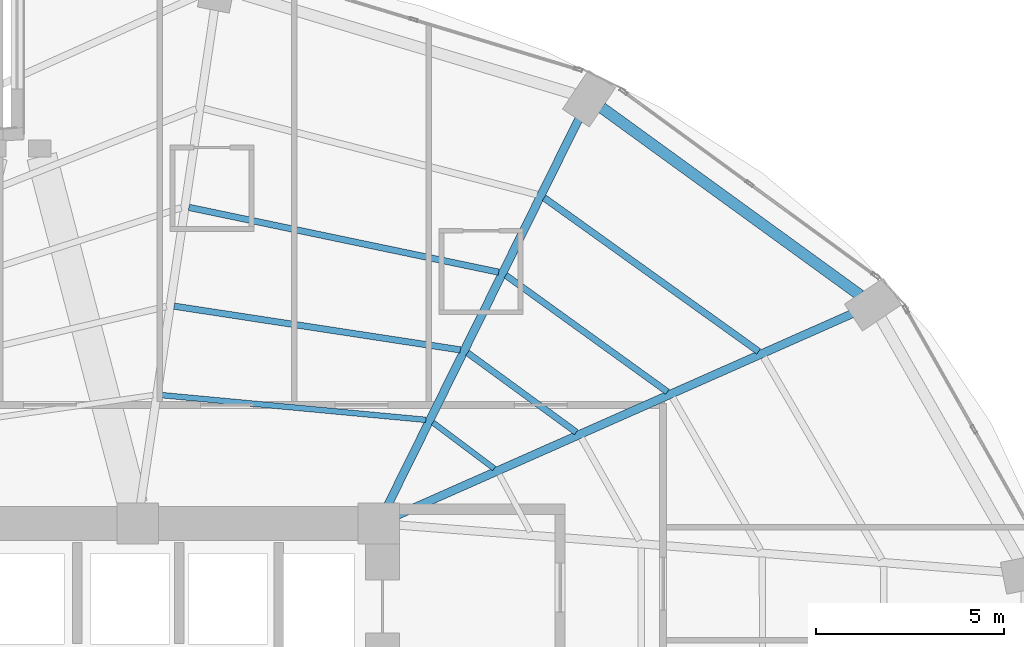
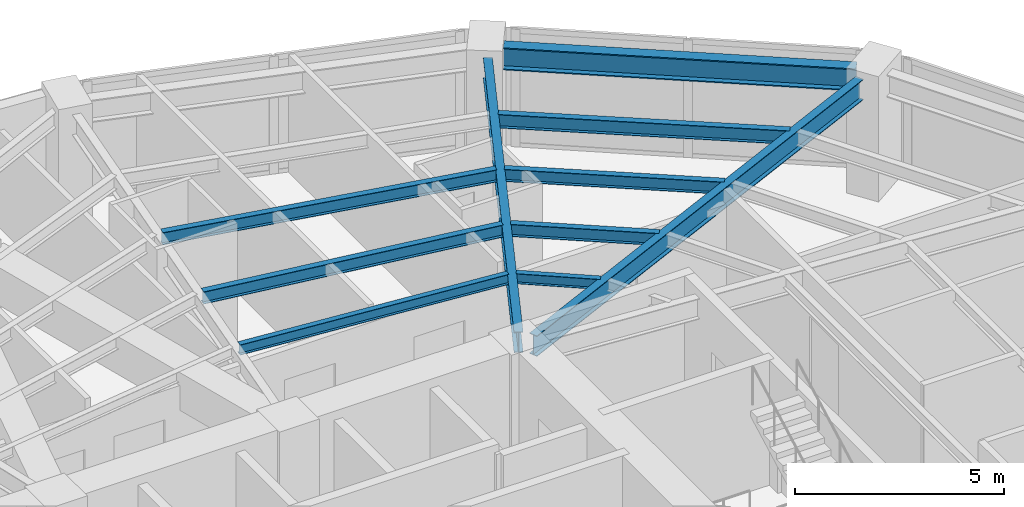
# One storey, part 16 of 24: 10 beams.
"""IFC4 building model written with IfcOpenShell, lengths in metres."""

from ifc_helpers import new_model, si_unit, direction, frame, origin, origin_2d, place, context, subcontext, project, spatial, i_section, extrude, material, material_profile, profile_set, type_object, element, save


model = new_model("IFC4")

# Units and contexts
model_context = context("Model", 3, precision=1e-05, world=origin(), true_north=direction((0.0, 1.0)))
body_context = subcontext(model_context, "Body", "Model", "MODEL_VIEW")
ifc_project = project(units=[si_unit("LENGTHUNIT", "METRE"), si_unit("AREAUNIT", "SQUARE_METRE"), si_unit("VOLUMEUNIT", "CUBIC_METRE"), si_unit("PLANEANGLEUNIT", "RADIAN"), si_unit("MASSUNIT", "GRAM", prefix="KILO")], contexts=[model_context])

# Site, building, storey
site_placement = place(None, origin())
site = spatial("IfcSite", under=ifc_project, at=site_placement, CompositionType="ELEMENT")
building_placement = place(site_placement, origin())
building = spatial("IfcBuilding", under=site, at=building_placement, Name="Lazwardi Medical Tower", CompositionType="ELEMENT")
storey_placement = place(building_placement, frame((0.0, 0.0, 54.384033203125)))
storey = spatial("IfcBuildingStorey", under=building, at=storey_placement, Name="L13", CompositionType="ELEMENT", Elevation=54.384033203125)

# Beams
ifc_material = material(Name="Steel S355", Category="steel")
ifc_material_profile_1 = material_profile(ifc_material, i_section(OverallWidth=0.300048828125, OverallDepth=0.64990234375, WebThickness=0.01611328125, FlangeThickness=0.031005859375, at=origin_2d()), Name="HEB 650")
ifc_profile_set_1 = profile_set([ifc_material_profile_1], Name="Steel S355")
beam_type_1 = type_object("IfcBeamType", Name="BM-RB-Z1", PredefinedType="BEAM", material=ifc_profile_set_1)
beam_1_placement = place(storey_placement, frame((58.3798828125, 41.660888671875, 3.10302734375), z_axis=(-0.809407079515, 0.587247971159, 0.0), x_axis=(-0.587247971159, -0.809407079515, 0.0)))
element("IfcBeam", 1, at=beam_1_placement, inside=storey, type_object=beam_type_1, Name="Ring beam RB-02 B06 L13", PredefinedType="BEAM", context=body_context, shape_type="SweptSolid", body=[
    extrude(i_section(OverallWidth=0.300048828125, OverallDepth=0.64990234375, WebThickness=0.01611328125, FlangeThickness=0.031005859375, at=origin_2d()), origin(), (0.0, 0.0, 1.0), 8.473876953125),
])
ifc_material_profile_2 = material_profile(ifc_material, i_section(OverallWidth=0.219970703125, OverallDepth=0.60009765625, WebThickness=0.011962890625, FlangeThickness=0.01904296875, at=origin_2d()), Name="IPE 600")
ifc_profile_set_2 = profile_set([ifc_material_profile_2], Name="Steel S355")
beam_type_2 = type_object("IfcBeamType", Name="BM-RG-W1", PredefinedType="BEAM", material=ifc_profile_set_2)
beam_2_placement = place(storey_placement, frame((58.189697265625, 41.17919921875, 3.1279296875), z_axis=(-0.914252189566, -0.405145571214, 0.0), x_axis=(0.405145571214, -0.914252189566, 0.0)))
element("IfcBeam", 2, at=beam_2_placement, inside=storey, type_object=beam_type_2, Name="Radial girder RG-02 R06 L13", PredefinedType="BEAM", context=body_context, shape_type="SweptSolid", body=[
    extrude(i_section(OverallWidth=0.219970703125, OverallDepth=0.60009765625, WebThickness=0.011962890625, FlangeThickness=0.01904296875, at=origin_2d()), origin(), (0.0, 0.0, 1.0), 13.235595703125),
])
beam_3_placement = place(storey_placement, frame((50.923828125, 46.364013671875, 3.1279296875), z_axis=(-0.443336723706, -0.896355146922, 0.0), x_axis=(0.896355146922, -0.443336723706, 0.0)))
element("IfcBeam", 3, at=beam_3_placement, inside=storey, type_object=beam_type_2, Name="Radial girder RG-02 R07 L13", PredefinedType="BEAM", context=body_context, shape_type="SweptSolid", body=[
    extrude(i_section(OverallWidth=0.219970703125, OverallDepth=0.60009765625, WebThickness=0.011962890625, FlangeThickness=0.01904296875, at=origin_2d()), origin(), (0.0, 0.0, 1.0), 11.4736328125),
])
ifc_material_profile_3 = material_profile(ifc_material, i_section(OverallWidth=0.179931640625, OverallDepth=0.39990234375, WebThickness=0.008544921875, FlangeThickness=0.013427734375, at=origin_2d()), Name="IPE 400")
ifc_profile_set_3 = profile_set([ifc_material_profile_3], Name="Steel S355")
beam_type_3 = type_object("IfcBeamType", Name="BM-SJ-01", PredefinedType="JOIST", material=ifc_profile_set_3)
beam_4_placement = place(storey_placement, frame((55.68408203125, 40.16796875, 3.22802734375), z_axis=(-0.812901036873, 0.582401840872, 0.0), x_axis=(-0.582401840872, -0.812901036873, 0.0)))
element("IfcBeam", 4, at=beam_4_placement, inside=storey, type_object=beam_type_3, Name="Secondary joist SJ-01 R1 B06 L13", PredefinedType="JOIST", context=body_context, shape_type="SweptSolid", body=[
    extrude(i_section(OverallWidth=0.179931640625, OverallDepth=0.39990234375, WebThickness=0.008544921875, FlangeThickness=0.013427734375, at=origin_2d()), origin(), (0.0, 0.0, 1.0), 7.002197265625),
])
ifc_material_profile_4 = material_profile(ifc_material, i_section(OverallWidth=0.169921875, OverallDepth=0.360107421875, WebThickness=0.008056640625, FlangeThickness=0.0126953125, at=origin_2d()), Name="IPE 360")
ifc_profile_set_4 = profile_set([ifc_material_profile_4], Name="Steel S355")
beam_type_4 = type_object("IfcBeamType", Name="BM-SJ-02", PredefinedType="JOIST", material=ifc_profile_set_4)
beam_5_placement = place(storey_placement, frame((53.26416015625, 39.095703125, 3.248046875), z_axis=(-0.811142764961, 0.584848198127, 0.0), x_axis=(-0.584848198127, -0.811142764961, 0.0)))
element("IfcBeam", 5, at=beam_5_placement, inside=storey, type_object=beam_type_4, Name="Secondary joist SJ-02 R2 B06 L13", PredefinedType="JOIST", context=body_context, shape_type="SweptSolid", body=[
    extrude(i_section(OverallWidth=0.169921875, OverallDepth=0.360107421875, WebThickness=0.008056640625, FlangeThickness=0.0126953125, at=origin_2d()), origin(), (0.0, 0.0, 1.0), 5.28857421875),
])
beam_6_placement = place(storey_placement, frame((48.786376953125, 42.271728515625, 3.248046875), z_axis=(-0.978809182847, 0.204774470026, 0.0), x_axis=(-0.204774470026, -0.978809182847, 0.0)))
element("IfcBeam", 6, at=beam_6_placement, inside=storey, type_object=beam_type_4, Name="Secondary joist SJ-02 R2 B07 L13", PredefinedType="JOIST", context=body_context, shape_type="SweptSolid", body=[
    extrude(i_section(OverallWidth=0.169921875, OverallDepth=0.360107421875, WebThickness=0.008056640625, FlangeThickness=0.0126953125, at=origin_2d()), origin(), (0.0, 0.0, 1.0), 8.40283203125),
])
beam_7_placement = place(storey_placement, frame((50.844482421875, 38.023681640625, 3.248046875), z_axis=(-0.80770129933, 0.589591902132, 0.0), x_axis=(-0.589591902132, -0.80770129933, 0.0)))
element("IfcBeam", 7, at=beam_7_placement, inside=storey, type_object=beam_type_4, Name="Secondary joist SJ-02 R3 B06 L13", PredefinedType="JOIST", context=body_context, shape_type="SweptSolid", body=[
    extrude(i_section(OverallWidth=0.169921875, OverallDepth=0.360107421875, WebThickness=0.008056640625, FlangeThickness=0.0126953125, at=origin_2d()), origin(), (0.0, 0.0, 1.0), 3.5751953125),
])
beam_8_placement = place(storey_placement, frame((47.76806640625, 40.209228515625, 3.248046875), z_axis=(-0.988535611365, 0.150987897074, 0.0), x_axis=(-0.150987897074, -0.988535611365, 0.0)))
element("IfcBeam", 8, at=beam_8_placement, inside=storey, type_object=beam_type_4, Name="Secondary joist SJ-02 R3 B07 L13", PredefinedType="JOIST", context=body_context, shape_type="SweptSolid", body=[
    extrude(i_section(OverallWidth=0.169921875, OverallDepth=0.360107421875, WebThickness=0.008056640625, FlangeThickness=0.0126953125, at=origin_2d()), origin(), (0.0, 0.0, 1.0), 7.68701171875),
])
ifc_material_profile_5 = material_profile(ifc_material, i_section(OverallWidth=0.14990234375, OverallDepth=0.300048828125, WebThickness=0.007080078125, FlangeThickness=0.0107421875, at=origin_2d()), Name="IPE 300")
ifc_profile_set_5 = profile_set([ifc_material_profile_5], Name="Steel S355")
beam_type_5 = type_object("IfcBeamType", Name="BM-SJ-03", PredefinedType="JOIST", material=ifc_profile_set_5)
beam_9_placement = place(storey_placement, frame((48.667236328125, 37.0595703125, 3.278076171875), z_axis=(-0.800115247939, 0.599846305328, 0.0), x_axis=(-0.599846305328, -0.800115247939, 0.0)))
element("IfcBeam", 9, at=beam_9_placement, inside=storey, type_object=beam_type_5, Name="Secondary joist SJ-03 R4 B06 L13", PredefinedType="JOIST", context=body_context, shape_type="SweptSolid", body=[
    extrude(i_section(OverallWidth=0.14990234375, OverallDepth=0.300048828125, WebThickness=0.007080078125, FlangeThickness=0.0107421875, at=origin_2d()), origin(), (0.0, 0.0, 1.0), 2.033447265625),
])
beam_10_placement = place(storey_placement, frame((46.851806640625, 38.35205078125, 3.278076171875), z_axis=(-0.995649263748, 0.093180167407, 0.0), x_axis=(-0.093180167407, -0.995649263748, 0.0)))
element("IfcBeam", 10, at=beam_10_placement, inside=storey, type_object=beam_type_5, Name="Secondary joist SJ-03 R4 B07 L13", PredefinedType="JOIST", context=body_context, shape_type="SweptSolid", body=[
    extrude(i_section(OverallWidth=0.14990234375, OverallDepth=0.300048828125, WebThickness=0.007080078125, FlangeThickness=0.0107421875, at=origin_2d()), origin(), (0.0, 0.0, 1.0), 7.06640625),
])

save(model, "model.ifc")
